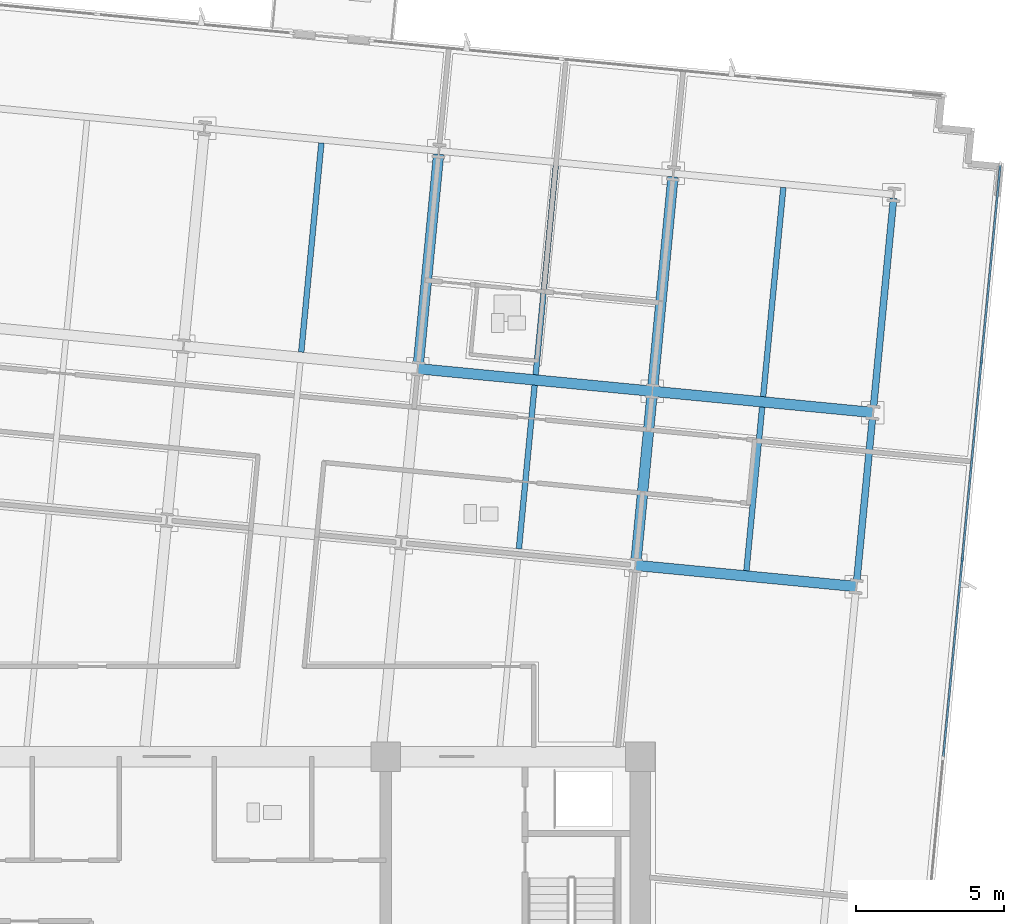
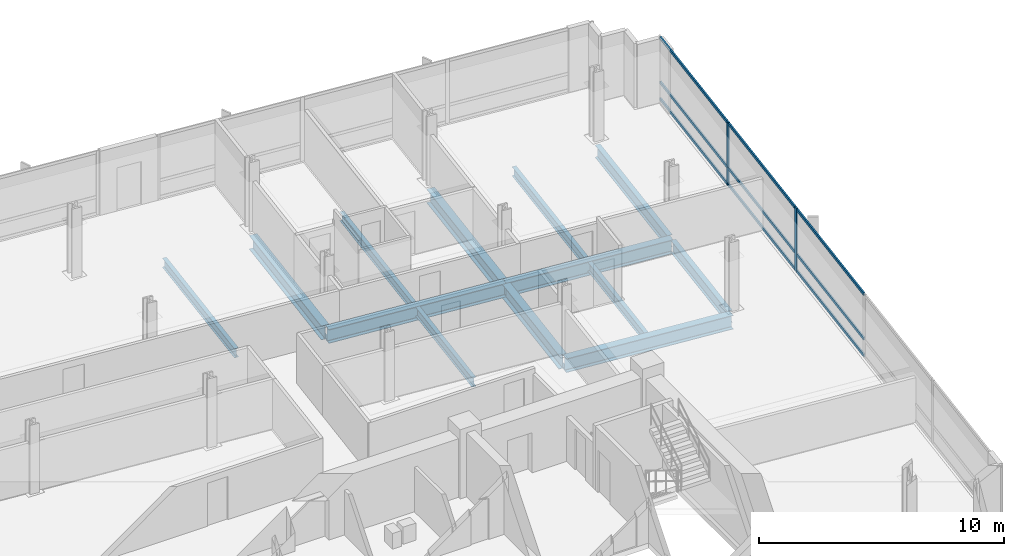
# One storey, part 6 of 16: 13 beams, 11 members, 1 element without a shape of its own.
"""IFC4 building model written with IfcOpenShell, lengths in metres."""

from ifc_helpers import new_model, si_unit, direction, frame, origin, origin_2d, place, context, subcontext, project, spatial, rectangle, i_section, extrude, material, material_profile, profile_set, type_object, element, aggregate, save


model = new_model("IFC4")

# Units and contexts
model_context = context("Model", 3, precision=1e-05, world=origin(), true_north=direction((0.0, 1.0)))
body_context = subcontext(model_context, "Body", "Model", "MODEL_VIEW")
ifc_project = project(units=[si_unit("LENGTHUNIT", "METRE"), si_unit("AREAUNIT", "SQUARE_METRE"), si_unit("VOLUMEUNIT", "CUBIC_METRE"), si_unit("PLANEANGLEUNIT", "RADIAN"), si_unit("MASSUNIT", "GRAM", prefix="KILO")], contexts=[model_context])

# Site, building, storey
site_placement = place(None, origin())
site = spatial("IfcSite", under=ifc_project, at=site_placement, CompositionType="ELEMENT")
building_placement = place(site_placement, origin())
building = spatial("IfcBuilding", under=site, at=building_placement, Name="Solmavex Isthmus Hotel", CompositionType="ELEMENT")
storey_placement = place(building_placement, frame((0.0, 0.0, 160.050048828125)))
storey = spatial("IfcBuildingStorey", under=building, at=storey_placement, Name="L43", CompositionType="ELEMENT", Elevation=160.050048828125)

# Beams
ifc_material_1 = material(Name="Steel ASTM A992 Grade 50", Category="steel")
ifc_material_profile_1 = material_profile(ifc_material_1, i_section(OverallWidth=0.354736328125, OverallDepth=0.695556640625, WebThickness=0.015380859375, FlangeThickness=0.02490234375, FilletRadius=0.017822265625, at=origin_2d()), Name="W27X146")
ifc_profile_set_1 = profile_set([ifc_material_profile_1], Name="Steel ASTM A992 Grade 50")
beam_type_1 = type_object("IfcBeamType", Name="BM-BG-W27X146", PredefinedType="BEAM", material=ifc_profile_set_1)
beam_1_placement = place(storey_placement, frame((15.840087890625, 3.96533203125, -0.60791015625), z_axis=(0.995394980007, -0.095858404835, 0.0), x_axis=(0.095858404835, 0.995394980007, 0.0)))
element("IfcBeam", 1, at=beam_1_placement, inside=storey, type_object=beam_type_1, Name="Floor Girder L43-UG08", PredefinedType="BEAM", context=body_context, shape_type="SweptSolid", body=[
    extrude(i_section(OverallWidth=0.354736328125, OverallDepth=0.695556640625, WebThickness=0.015380859375, FlangeThickness=0.02490234375, FilletRadius=0.017822265625, at=origin_2d()), origin(), (0.0, 0.0, 1.0), 7.48779296875),
])
beam_2_placement = place(storey_placement, frame((8.48681640625, 10.608642578125, -0.60791015625), z_axis=(0.995394512348, -0.095863260885, 0.0), x_axis=(0.095863260885, 0.995394512348, 0.0)))
element("IfcBeam", 2, at=beam_2_placement, inside=storey, type_object=beam_type_1, Name="Floor Girder L43-UG13", PredefinedType="BEAM", context=body_context, shape_type="SweptSolid", body=[
    extrude(i_section(OverallWidth=0.354736328125, OverallDepth=0.695556640625, WebThickness=0.015380859375, FlangeThickness=0.02490234375, FilletRadius=0.017822265625, at=origin_2d()), origin(), (0.0, 0.0, 1.0), 7.9560546875),
])
beam_3_placement = place(storey_placement, frame((16.40625, 9.845947265625, -0.60791015625), z_axis=(0.995398389938, -0.095822989454, 0.0), x_axis=(0.095822989454, 0.995398389938, 0.0)))
element("IfcBeam", 3, at=beam_3_placement, inside=storey, type_object=beam_type_1, Name="Floor Girder L43-UG14", PredefinedType="BEAM", context=body_context, shape_type="SweptSolid", body=[
    extrude(i_section(OverallWidth=0.354736328125, OverallDepth=0.695556640625, WebThickness=0.015380859375, FlangeThickness=0.02490234375, FilletRadius=0.017822265625, at=origin_2d()), origin(), (0.0, 0.0, 1.0), 7.488037109375),
])
beam_4_placement = place(storey_placement, frame((8.50390625, 10.78515625, -0.60791015625), z_axis=(0.095842805175, 0.99539648216, 0.0), x_axis=(-0.99539648216, 0.095842805175, 0.0)))
element("IfcBeam", 4, at=beam_4_placement, inside=storey, type_object=beam_type_1, Name="Floor Beam L43-VG35", PredefinedType="BEAM", context=body_context, shape_type="SweptSolid", body=[
    extrude(i_section(OverallWidth=0.354736328125, OverallDepth=0.695556640625, WebThickness=0.015380859375, FlangeThickness=0.02490234375, FilletRadius=0.017822265625, at=origin_2d()), origin(), (0.0, 0.0, 1.0), 7.099365234375),
])
beam_5_placement = place(storey_placement, frame((15.85693359375, 4.141845703125, -0.60791015625), z_axis=(0.095842252862, 0.99539653534, 0.0), x_axis=(-0.99539653534, 0.095842252862, 0.0)))
element("IfcBeam", 5, at=beam_5_placement, inside=storey, type_object=beam_type_1, Name="Floor Beam L43-VG37", PredefinedType="BEAM", context=body_context, shape_type="SweptSolid", body=[
    extrude(i_section(OverallWidth=0.354736328125, OverallDepth=0.695556640625, WebThickness=0.015380859375, FlangeThickness=0.02490234375, FilletRadius=0.017822265625, at=origin_2d()), origin(), (0.0, 0.0, 1.0), 5.55322265625),
])
beam_6_placement = place(storey_placement, frame((16.42333984375, 10.022705078125, -0.60791015625), z_axis=(0.095842805175, 0.99539648216, 0.0), x_axis=(-0.99539648216, 0.095842805175, 0.0)))
element("IfcBeam", 6, at=beam_6_placement, inside=storey, type_object=beam_type_1, Name="Floor Beam L43-VG38", PredefinedType="BEAM", context=body_context, shape_type="SweptSolid", body=[
    extrude(i_section(OverallWidth=0.354736328125, OverallDepth=0.695556640625, WebThickness=0.015380859375, FlangeThickness=0.02490234375, FilletRadius=0.017822265625, at=origin_2d()), origin(), (0.0, 0.0, 1.0), 7.099365234375),
])
ifc_material_profile_2 = material_profile(ifc_material_1, i_section(OverallWidth=0.1904296875, OverallDepth=0.456787109375, WebThickness=0.009033203125, FlangeThickness=0.014404296875, FilletRadius=0.0126953125, at=origin_2d()), Name="W18X50")
ifc_profile_set_2 = profile_set([ifc_material_profile_2], Name="Steel ASTM A992 Grade 50")
beam_type_2 = type_object("IfcBeamType", Name="BM-BJ-W18X50", PredefinedType="JOIST", material=ifc_profile_set_2)
beam_7_placement = place(storey_placement, frame((4.544189453125, 11.16650390625, -0.488525390625), z_axis=(0.095842805175, 0.99539648216, 0.0), x_axis=(-0.99539648216, 0.095842805175, 0.0)))
element("IfcBeam", 7, at=beam_7_placement, inside=storey, type_object=beam_type_2, Name="Secondary Floor Joist L43-J12", PredefinedType="JOIST", context=body_context, shape_type="SweptSolid", body=[
    extrude(i_section(OverallWidth=0.1904296875, OverallDepth=0.456787109375, WebThickness=0.009033203125, FlangeThickness=0.014404296875, FilletRadius=0.0126953125, at=origin_2d()), origin(), (0.0, 0.0, 1.0), 7.099365234375),
])
beam_8_placement = place(storey_placement, frame((11.8974609375, 4.523193359375, -0.488525390625), z_axis=(0.095842252862, 0.99539653534, 0.0), x_axis=(-0.99539653534, 0.095842252862, 0.0)))
element("IfcBeam", 8, at=beam_8_placement, inside=storey, type_object=beam_type_2, Name="Secondary Floor Joist L43-J14", PredefinedType="JOIST", context=body_context, shape_type="SweptSolid", body=[
    extrude(i_section(OverallWidth=0.1904296875, OverallDepth=0.456787109375, WebThickness=0.009033203125, FlangeThickness=0.014404296875, FilletRadius=0.0126953125, at=origin_2d()), origin(), (0.0, 0.0, 1.0), 5.55322265625),
])
beam_9_placement = place(storey_placement, frame((12.463623046875, 10.40380859375, -0.488525390625), z_axis=(0.095839524498, 0.995396798038, 0.0), x_axis=(-0.995396798038, 0.095839524498, 0.0)))
element("IfcBeam", 9, at=beam_9_placement, inside=storey, type_object=beam_type_2, Name="Secondary Floor Joist L43-J15", PredefinedType="JOIST", context=body_context, shape_type="SweptSolid", body=[
    extrude(i_section(OverallWidth=0.1904296875, OverallDepth=0.456787109375, WebThickness=0.009033203125, FlangeThickness=0.014404296875, FilletRadius=0.0126953125, at=origin_2d()), origin(), (0.0, 0.0, 1.0), 7.099609375),
])
beam_10_placement = place(storey_placement, frame((19.583740234375, 3.782958984375, -0.488525390625), z_axis=(0.095842252862, 0.99539653534, 0.0), x_axis=(-0.99539653534, 0.095842252862, 0.0)))
element("IfcBeam", 10, at=beam_10_placement, inside=storey, type_object=beam_type_2, Name="Secondary Floor Joist L43-J16", PredefinedType="JOIST", context=body_context, shape_type="SweptSolid", body=[
    extrude(i_section(OverallWidth=0.1904296875, OverallDepth=0.456787109375, WebThickness=0.009033203125, FlangeThickness=0.014404296875, FilletRadius=0.0126953125, at=origin_2d()), origin(), (0.0, 0.0, 1.0), 5.55322265625),
])
beam_11_placement = place(storey_placement, frame((20.150146484375, 9.663818359375, -0.488525390625), z_axis=(0.095842805175, 0.99539648216, 0.0), x_axis=(-0.99539648216, 0.095842805175, 0.0)))
element("IfcBeam", 11, at=beam_11_placement, inside=storey, type_object=beam_type_2, Name="Secondary Floor Joist L43-J17", PredefinedType="JOIST", context=body_context, shape_type="SweptSolid", body=[
    extrude(i_section(OverallWidth=0.1904296875, OverallDepth=0.456787109375, WebThickness=0.009033203125, FlangeThickness=0.014404296875, FilletRadius=0.0126953125, at=origin_2d()), origin(), (0.0, 0.0, 1.0), 7.099365234375),
])
ifc_material_profile_3 = material_profile(ifc_material_1, i_section(OverallWidth=0.230224609375, OverallDepth=0.617431640625, WebThickness=0.01318359375, FlangeThickness=0.022216796875, FilletRadius=0.01513671875, at=origin_2d()), Name="W24X94")
ifc_profile_set_3 = profile_set([ifc_material_profile_3], Name="Steel ASTM A992 Grade 50")
beam_type_3 = type_object("IfcBeamType", Name="BM-SP-W24X94", PredefinedType="SPANDREL", material=ifc_profile_set_3)
beam_12_placement = place(storey_placement, frame((23.310546875, 3.424072265625, -0.56884765625), z_axis=(0.095842252862, 0.99539653534, 0.0), x_axis=(-0.99539653534, 0.095842252862, 0.0)))
element("IfcBeam", 12, at=beam_12_placement, inside=storey, type_object=beam_type_3, Name="Floor Beam L43-VG40", PredefinedType="SPANDREL", context=body_context, shape_type="SweptSolid", body=[
    extrude(i_section(OverallWidth=0.230224609375, OverallDepth=0.617431640625, WebThickness=0.01318359375, FlangeThickness=0.022216796875, FilletRadius=0.01513671875, at=origin_2d()), origin(), (0.0, 0.0, 1.0), 5.55322265625),
])
beam_13_placement = place(storey_placement, frame((23.876708984375, 9.304931640625, -0.56884765625), z_axis=(0.09587687835, 0.9953932008, 0.0), x_axis=(-0.9953932008, 0.09587687835, 0.0)))
element("IfcBeam", 13, at=beam_13_placement, inside=storey, type_object=beam_type_3, Name="Floor Beam L43-VG41", PredefinedType="SPANDREL", context=body_context, shape_type="SweptSolid", body=[
    extrude(i_section(OverallWidth=0.230224609375, OverallDepth=0.617431640625, WebThickness=0.01318359375, FlangeThickness=0.022216796875, FilletRadius=0.01513671875, at=origin_2d()), origin(), (0.0, 0.0, 1.0), 7.099365234375),
])

# Curtain wall, members
ifc_material_2 = material(Name="Aluminium alloy 6063-T6", Category="aluminium")
curtain_wall_type = type_object("IfcCurtainWallType", Name="CW-SYS-03", PredefinedType="NOTDEFINED", material=ifc_material_2)
curtain_wall_placement = place(storey_placement, origin())
curtain_wall = element("IfcCurtainWall", 14, at=curtain_wall_placement, inside=storey, type_object=curtain_wall_type, Name="Stick Curtain Wall CWL-L43-E1", PredefinedType="NOTDEFINED")
ifc_material_profile_4 = material_profile(ifc_material_2, rectangle(XDim=0.070068359375, YDim=0.179931640625, at=origin_2d()), Name="CWM-70X180")
ifc_profile_set_4 = profile_set([ifc_material_profile_4], Name="Aluminium alloy 6063-T6")
member_type_1 = type_object("IfcMemberType", Name="CW-SYS-03-MUL", PredefinedType="MULLION", material=ifc_profile_set_4)
member_1_placement = place(storey_placement, frame((26.878173828125, 4.168212890625, 0.0), z_axis=(0.0, 0.0, 1.0), x_axis=(-0.995396190038, 0.09584583902, 0.0)))
member_1 = element("IfcMember", 15, at=member_1_placement, type_object=member_type_1, Name="CW-03 mullion 4", PredefinedType="MULLION", context=body_context, shape_type="SweptSolid", body=[
    extrude(rectangle(XDim=0.070068359375, YDim=0.179931640625, at=origin_2d()), origin(), (0.0, 0.0, 1.0), 3.18994140625),
])
member_2_placement = place(storey_placement, frame((27.5224609375, 10.857177734375, 0.0), z_axis=(0.0, 0.0, 1.0), x_axis=(-0.995396190038, 0.09584583902, 0.0)))
member_2 = element("IfcMember", 16, at=member_2_placement, type_object=member_type_1, Name="CW-03 mullion 5", PredefinedType="MULLION", context=body_context, shape_type="SweptSolid", body=[
    extrude(rectangle(XDim=0.070068359375, YDim=0.179931640625, at=origin_2d()), origin(), (0.0, 0.0, 1.0), 3.18994140625),
])
ifc_material_profile_5 = material_profile(ifc_material_2, rectangle(XDim=0.070068359375, YDim=0.139892578125, at=origin_2d()), Name="CWT-70X140")
ifc_profile_set_5 = profile_set([ifc_material_profile_5], Name="Aluminium alloy 6063-T6")
member_type_2 = type_object("IfcMemberType", Name="CW-SYS-03-TRN", PredefinedType="USERDEFINED", material=ifc_profile_set_5)
member_3_placement = place(storey_placement, frame((26.237548828125, -2.486083984375, 0.070068359375), z_axis=(0.095857212138, 0.995395094865, 0.0), x_axis=(-0.995395094865, 0.095857212138, 0.0)))
member_3 = element("IfcMember", 17, at=member_3_placement, type_object=member_type_2, Name="CW-03 transom 3.1", ObjectType="TRANSOM", PredefinedType="USERDEFINED", context=body_context, shape_type="SweptSolid", body=[
    extrude(rectangle(XDim=0.070068359375, YDim=0.139892578125, at=origin_2d()), origin(), (0.0, 0.0, 1.0), 6.64990234375),
])
member_4_placement = place(storey_placement, frame((26.237548828125, -2.486083984375, 0.89990234375), z_axis=(0.095857212138, 0.995395094865, 0.0), x_axis=(-0.995395094865, 0.095857212138, 0.0)))
member_4 = element("IfcMember", 18, at=member_4_placement, type_object=member_type_2, Name="CW-03 transom 3.2", ObjectType="TRANSOM", PredefinedType="USERDEFINED", context=body_context, shape_type="SweptSolid", body=[
    extrude(rectangle(XDim=0.070068359375, YDim=0.139892578125, at=origin_2d()), origin(), (0.0, 0.0, 1.0), 6.64990234375),
])
member_5_placement = place(storey_placement, frame((26.237548828125, -2.486083984375, 3.119873046875), z_axis=(0.095857212138, 0.995395094865, 0.0), x_axis=(-0.995395094865, 0.095857212138, 0.0)))
member_5 = element("IfcMember", 19, at=member_5_placement, type_object=member_type_2, Name="CW-03 transom 3.3", ObjectType="TRANSOM", PredefinedType="USERDEFINED", context=body_context, shape_type="SweptSolid", body=[
    extrude(rectangle(XDim=0.070068359375, YDim=0.139892578125, at=origin_2d()), origin(), (0.0, 0.0, 1.0), 6.64990234375),
])
member_6_placement = place(storey_placement, frame((26.881591796875, 4.203125, 0.070068359375), z_axis=(0.095857212138, 0.995395094865, 0.0), x_axis=(-0.995395094865, 0.095857212138, 0.0)))
member_6 = element("IfcMember", 20, at=member_6_placement, type_object=member_type_2, Name="CW-03 transom 4.1", ObjectType="TRANSOM", PredefinedType="USERDEFINED", context=body_context, shape_type="SweptSolid", body=[
    extrude(rectangle(XDim=0.070068359375, YDim=0.139892578125, at=origin_2d()), origin(), (0.0, 0.0, 1.0), 6.64990234375),
])
member_7_placement = place(storey_placement, frame((26.881591796875, 4.203125, 0.89990234375), z_axis=(0.095857212138, 0.995395094865, 0.0), x_axis=(-0.995395094865, 0.095857212138, 0.0)))
member_7 = element("IfcMember", 21, at=member_7_placement, type_object=member_type_2, Name="CW-03 transom 4.2", ObjectType="TRANSOM", PredefinedType="USERDEFINED", context=body_context, shape_type="SweptSolid", body=[
    extrude(rectangle(XDim=0.070068359375, YDim=0.139892578125, at=origin_2d()), origin(), (0.0, 0.0, 1.0), 6.64990234375),
])
member_8_placement = place(storey_placement, frame((26.881591796875, 4.203125, 3.119873046875), z_axis=(0.095857212138, 0.995395094865, 0.0), x_axis=(-0.995395094865, 0.095857212138, 0.0)))
member_8 = element("IfcMember", 22, at=member_8_placement, type_object=member_type_2, Name="CW-03 transom 4.3", ObjectType="TRANSOM", PredefinedType="USERDEFINED", context=body_context, shape_type="SweptSolid", body=[
    extrude(rectangle(XDim=0.070068359375, YDim=0.139892578125, at=origin_2d()), origin(), (0.0, 0.0, 1.0), 6.64990234375),
])
member_9_placement = place(storey_placement, frame((27.525634765625, 10.89208984375, 0.070068359375), z_axis=(0.095848837806, 0.995395901283, 0.0), x_axis=(-0.995395901283, 0.095848837806, 0.0)))
member_9 = element("IfcMember", 23, at=member_9_placement, type_object=member_type_2, Name="CW-03 transom 5.1", ObjectType="TRANSOM", PredefinedType="USERDEFINED", context=body_context, shape_type="SweptSolid", body=[
    extrude(rectangle(XDim=0.070068359375, YDim=0.139892578125, at=origin_2d()), origin(), (0.0, 0.0, 1.0), 6.614990234375),
])
member_10_placement = place(storey_placement, frame((27.525634765625, 10.89208984375, 0.89990234375), z_axis=(0.095848837806, 0.995395901283, 0.0), x_axis=(-0.995395901283, 0.095848837806, 0.0)))
member_10 = element("IfcMember", 24, at=member_10_placement, type_object=member_type_2, Name="CW-03 transom 5.2", ObjectType="TRANSOM", PredefinedType="USERDEFINED", context=body_context, shape_type="SweptSolid", body=[
    extrude(rectangle(XDim=0.070068359375, YDim=0.139892578125, at=origin_2d()), origin(), (0.0, 0.0, 1.0), 6.614990234375),
])
member_11_placement = place(storey_placement, frame((27.525634765625, 10.89208984375, 3.119873046875), z_axis=(0.095848837806, 0.995395901283, 0.0), x_axis=(-0.995395901283, 0.095848837806, 0.0)))
member_11 = element("IfcMember", 25, at=member_11_placement, type_object=member_type_2, Name="CW-03 transom 5.3", ObjectType="TRANSOM", PredefinedType="USERDEFINED", context=body_context, shape_type="SweptSolid", body=[
    extrude(rectangle(XDim=0.070068359375, YDim=0.139892578125, at=origin_2d()), origin(), (0.0, 0.0, 1.0), 6.614990234375),
])
aggregate(curtain_wall, [member_1, member_2, member_3, member_4, member_5, member_6, member_7, member_8, member_9, member_10, member_11])

save(model, "model.ifc")
